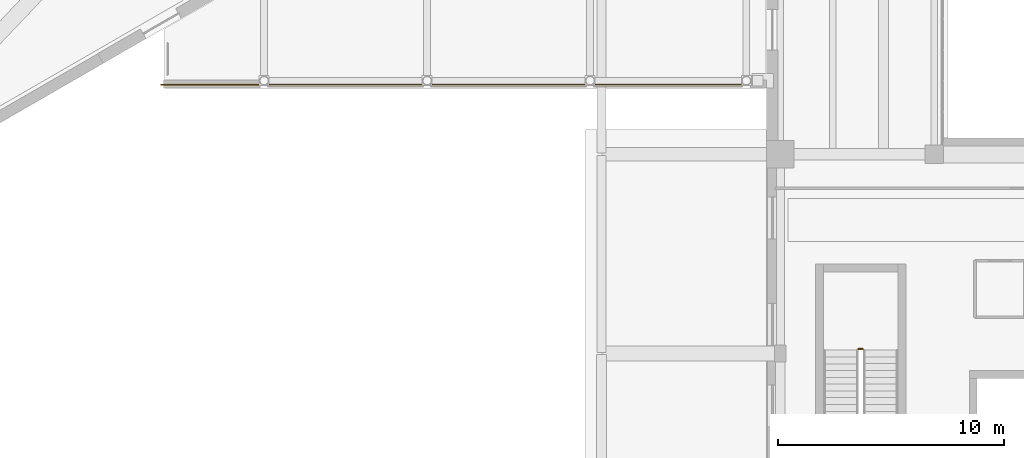
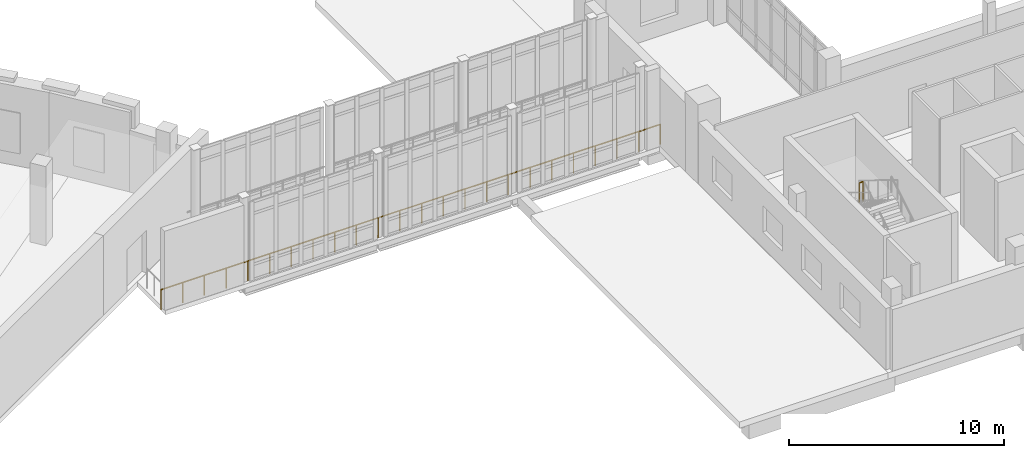
# One storey, part 72 of 75: 2 railings.
"""IFC4 building model written with IfcOpenShell, lengths in metres."""

from ifc_helpers import new_model, si_unit, direction, frame, origin, origin_2d, place, context, subcontext, project, spatial, circle, extrude, material, type_object, element, save


model = new_model("IFC4")

# Units and contexts
model_context = context("Model", 3, precision=1e-05, world=origin(), true_north=direction((0.0, 1.0)))
body_context = subcontext(model_context, "Body", "Model", "MODEL_VIEW")
ifc_project = project(units=[si_unit("LENGTHUNIT", "METRE"), si_unit("AREAUNIT", "SQUARE_METRE"), si_unit("VOLUMEUNIT", "CUBIC_METRE"), si_unit("PLANEANGLEUNIT", "RADIAN"), si_unit("MASSUNIT", "GRAM", prefix="KILO")], contexts=[model_context])

# Site, building, storey
site_placement = place(None, origin())
site = spatial("IfcSite", under=ifc_project, at=site_placement, CompositionType="ELEMENT")
building_placement = place(site_placement, origin())
building = spatial("IfcBuilding", under=site, at=building_placement, Name="Soyqirgoq Riverine Aquarium", CompositionType="ELEMENT")
storey_placement = place(building_placement, frame((0.0, 0.0, 10.199951171875)))
storey = spatial("IfcBuildingStorey", under=building, at=storey_placement, Name="L03", CompositionType="ELEMENT", Elevation=10.199951171875)

# Railings
ifc_material_1 = material(Name="Painted steel infill stair-well guardrail", Category="steel")
railing_type_1 = type_object("IfcRailingType", Name="StairWellGuard_1120", PredefinedType="GUARDRAIL", material=ifc_material_1)
railing_1_placement = place(storey_placement, frame((126.25, 65.699951171875, 2.400146484375)))
element("IfcRailing", 1, at=railing_1_placement, inside=storey, type_object=railing_type_1, Name="L03 ST-8 stair guard 2", PredefinedType="GUARDRAIL", context=body_context, shape_type="SweptSolid", body=[
    extrude(circle(Radius=0.02392578125, at=origin_2d()), frame((0.0, 0.0, 1.09619140625), z_axis=(-1.0, 0.0, 0.0), x_axis=(0.0, -1.0, 0.0)), (0.0, 0.0, 1.0), 0.199951171875),
    extrude(circle(Radius=0.02099609375, at=origin_2d()), origin(), (0.0, 0.0, 1.0), 1.072021484375),
    extrude(circle(Radius=0.02099609375, at=origin_2d()), frame((-0.199951171875, 0.0, 0.0)), (0.0, 0.0, 1.0), 1.072021484375),
])
ifc_material_2 = material(Name="Laminated safety glass and stainless steel balustrade", Category="steel")
railing_type_2 = type_object("IfcRailingType", Name="TerraceGuard_1150", PredefinedType="BALUSTRADE", material=ifc_material_2)
railing_2_placement = place(storey_placement, frame((95.25, 77.3798828125, 0.0)))
element("IfcRailing", 2, at=railing_2_placement, inside=storey, type_object=railing_type_2, Name="BR-2 Concourse Glazing Guardrail S", PredefinedType="BALUSTRADE", context=body_context, shape_type="SweptSolid", body=[
    extrude(circle(Radius=0.02392578125, at=origin_2d()), frame((0.0, 0.0, 1.1259765625), z_axis=(1.0, 0.0, 0.0), x_axis=(0.0, 1.0, 0.0)), (0.0, 0.0, 1.0), 26.85009765625),
    extrude(circle(Radius=0.02099609375, at=origin_2d()), origin(), (0.0, 0.0, 1.0), 1.101806640625),
    extrude(circle(Radius=0.02099609375, at=origin_2d()), frame((1.16748046875, 0.0, 0.0)), (0.0, 0.0, 1.0), 1.101806640625),
    extrude(circle(Radius=0.02099609375, at=origin_2d()), frame((2.334716796875, 0.0, 0.0)), (0.0, 0.0, 1.0), 1.101806640625),
    extrude(circle(Radius=0.02099609375, at=origin_2d()), frame((3.502197265625, 0.0, 0.0)), (0.0, 0.0, 1.0), 1.101806640625),
    extrude(circle(Radius=0.02099609375, at=origin_2d()), frame((4.669677734375, 0.0, 0.0)), (0.0, 0.0, 1.0), 1.101806640625),
    extrude(circle(Radius=0.02099609375, at=origin_2d()), frame((5.8369140625, 0.0, 0.0)), (0.0, 0.0, 1.0), 1.101806640625),
    extrude(circle(Radius=0.02099609375, at=origin_2d()), frame((7.00439453125, 0.0, 0.0)), (0.0, 0.0, 1.0), 1.101806640625),
    extrude(circle(Radius=0.02099609375, at=origin_2d()), frame((8.171875, 0.0, 0.0)), (0.0, 0.0, 1.0), 1.101806640625),
    extrude(circle(Radius=0.02099609375, at=origin_2d()), frame((9.339111328125, 0.0, 0.0)), (0.0, 0.0, 1.0), 1.101806640625),
    extrude(circle(Radius=0.02099609375, at=origin_2d()), frame((10.506591796875, 0.0, 0.0)), (0.0, 0.0, 1.0), 1.101806640625),
    extrude(circle(Radius=0.02099609375, at=origin_2d()), frame((11.674072265625, 0.0, 0.0)), (0.0, 0.0, 1.0), 1.101806640625),
    extrude(circle(Radius=0.02099609375, at=origin_2d()), frame((12.84130859375, 0.0, 0.0)), (0.0, 0.0, 1.0), 1.101806640625),
    extrude(circle(Radius=0.02099609375, at=origin_2d()), frame((14.0087890625, 0.0, 0.0)), (0.0, 0.0, 1.0), 1.101806640625),
    extrude(circle(Radius=0.02099609375, at=origin_2d()), frame((15.176025390625, 0.0, 0.0)), (0.0, 0.0, 1.0), 1.101806640625),
    extrude(circle(Radius=0.02099609375, at=origin_2d()), frame((16.343505859375, 0.0, 0.0)), (0.0, 0.0, 1.0), 1.101806640625),
    extrude(circle(Radius=0.02099609375, at=origin_2d()), frame((17.510986328125, 0.0, 0.0)), (0.0, 0.0, 1.0), 1.101806640625),
    extrude(circle(Radius=0.02099609375, at=origin_2d()), frame((18.67822265625, 0.0, 0.0)), (0.0, 0.0, 1.0), 1.101806640625),
    extrude(circle(Radius=0.02099609375, at=origin_2d()), frame((19.845703125, 0.0, 0.0)), (0.0, 0.0, 1.0), 1.101806640625),
    extrude(circle(Radius=0.02099609375, at=origin_2d()), frame((21.01318359375, 0.0, 0.0)), (0.0, 0.0, 1.0), 1.101806640625),
    extrude(circle(Radius=0.02099609375, at=origin_2d()), frame((22.180419921875, 0.0, 0.0)), (0.0, 0.0, 1.0), 1.101806640625),
    extrude(circle(Radius=0.02099609375, at=origin_2d()), frame((23.347900390625, 0.0, 0.0)), (0.0, 0.0, 1.0), 1.101806640625),
    extrude(circle(Radius=0.02099609375, at=origin_2d()), frame((24.515380859375, 0.0, 0.0)), (0.0, 0.0, 1.0), 1.101806640625),
    extrude(circle(Radius=0.02099609375, at=origin_2d()), frame((25.6826171875, 0.0, 0.0)), (0.0, 0.0, 1.0), 1.101806640625),
    extrude(circle(Radius=0.02099609375, at=origin_2d()), frame((26.85009765625, 0.0, 0.0)), (0.0, 0.0, 1.0), 1.101806640625),
])

save(model, "model.ifc")
